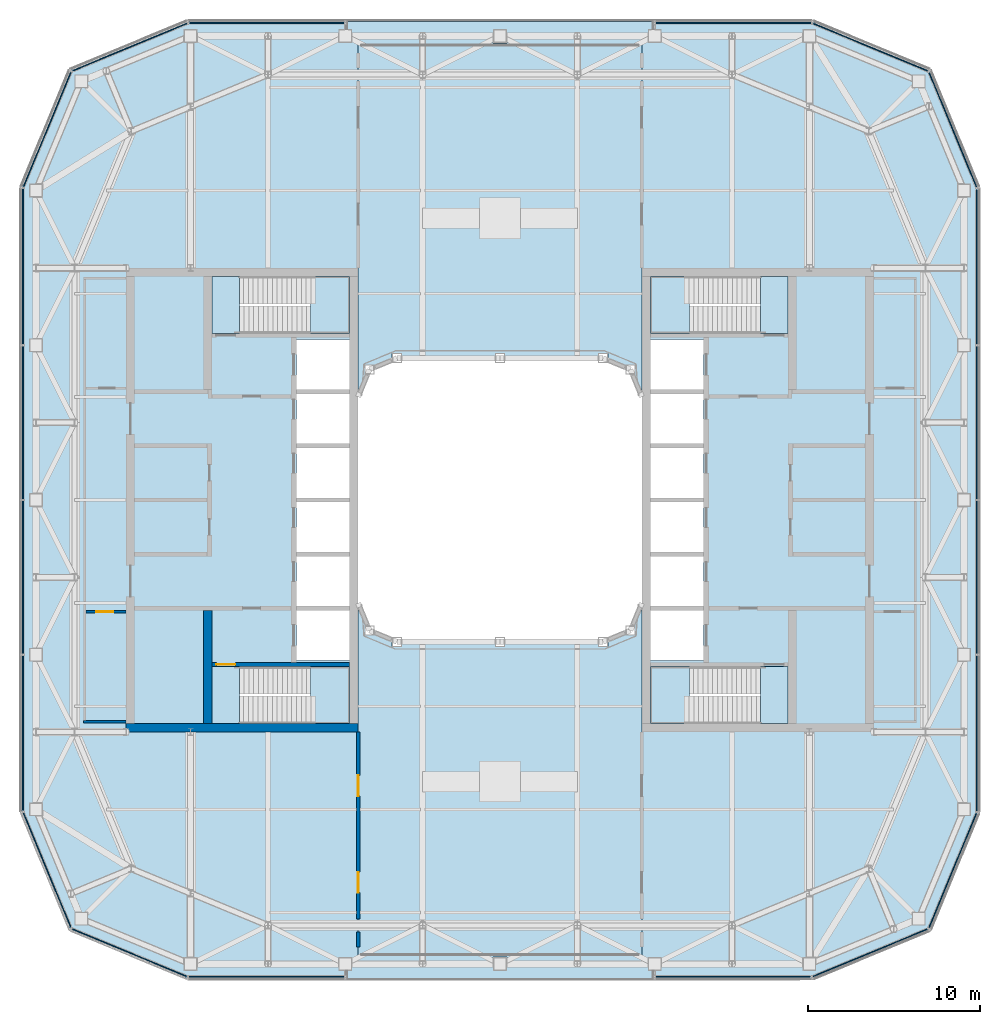
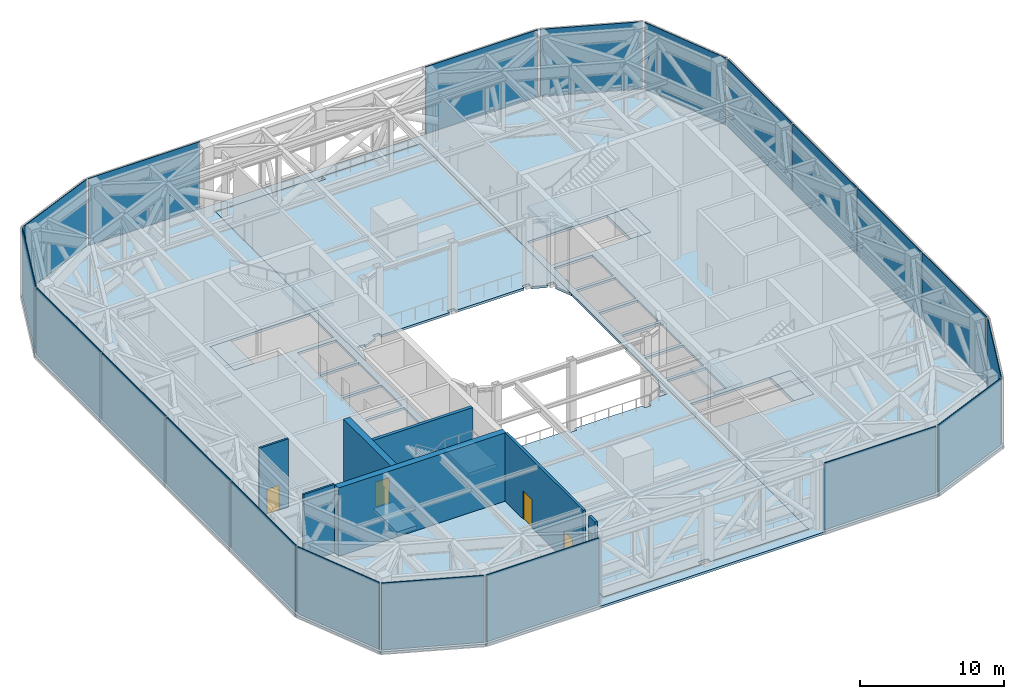
# One storey, part 10 of 21: 20 plates, 11 slabs, 7 walls, 4 doors, 4 openings, 18 elements without a shape of their own.
"""IFC4 building model written with IfcOpenShell, lengths in metres."""

from ifc_helpers import new_model, si_unit, direction, frame, frame_2d, origin, origin_2d, place, context, subcontext, project, spatial, polyline, rectangle, outline, extrude, material, layer, layer_set, type_object, element, fill, aggregate, save


model = new_model("IFC4")

# Units and contexts
model_context = context("Model", 3, precision=1e-05, world=origin(), true_north=direction((0.0, 1.0)))
body_context = subcontext(model_context, "Body", "Model", "MODEL_VIEW")
ifc_project = project(units=[si_unit("LENGTHUNIT", "METRE"), si_unit("AREAUNIT", "SQUARE_METRE"), si_unit("VOLUMEUNIT", "CUBIC_METRE"), si_unit("PLANEANGLEUNIT", "RADIAN"), si_unit("MASSUNIT", "GRAM", prefix="KILO")], contexts=[model_context])

# Site, building, storey
site_placement = place(None, origin())
site = spatial("IfcSite", under=ifc_project, at=site_placement, CompositionType="ELEMENT")
building_placement = place(site_placement, origin())
building = spatial("IfcBuilding", under=site, at=building_placement, Name="Siwar Civic Tower", CompositionType="ELEMENT")
storey_placement = place(building_placement, frame((0.0, 0.0, 278.199951171875)))
storey = spatial("IfcBuildingStorey", under=building, at=storey_placement, Name="L60", CompositionType="ELEMENT", Elevation=278.199951171875)

# Stair, slabs
ifc_material_1 = material(Name="Concrete C40/50", Category="concrete")
stair_type = type_object("IfcStairType", Name="CORE-STAIR", PredefinedType="TWO_STRAIGHT_RUN_STAIR", material=ifc_material_1)
stair_1_placement = place(storey_placement, origin())
stair_1 = element("IfcStair", 1, at=stair_1_placement, inside=storey, type_object=stair_type, Name="Exit stair ST1", PredefinedType="TWO_STRAIGHT_RUN_STAIR")
ifc_material_2 = material(Name="Concrete C40/50", Category="concrete")
ifc_layer_1 = layer(ifc_material_2, 0.300048828125)
ifc_layer_set_1 = layer_set([ifc_layer_1], Name="Concrete C40/50")
slab_type_1 = type_object("IfcSlabType", Name="CORE-STAIR-LANDING", PredefinedType="LANDING", material=ifc_layer_set_1)
slab_1_placement = place(storey_placement, frame((0.0, 0.0, -0.300048828125)))
slab_1 = element("IfcSlab", 2, at=slab_1_placement, type_object=slab_type_1, Name="ST1 landing 1", PredefinedType="LANDING", context=body_context, shape_type="SweptSolid", body=[
    extrude(outline(polyline([(-15.14990234375, 13.0), (-16.75, 13.0), (-16.75, 9.699951171875), (-15.14990234375, 9.699951171875), (-15.14990234375, 13.0)])), origin(), (0.0, 0.0, 1.0), 0.300048828125),
])
slab_2_placement = place(storey_placement, frame((0.0, 0.0, 2.699951171875)))
slab_2 = element("IfcSlab", 3, at=slab_2_placement, type_object=slab_type_1, Name="ST1 landing 2", PredefinedType="LANDING", context=body_context, shape_type="SweptSolid", body=[
    extrude(outline(polyline([(-8.75, 13.0), (-11.02001953125, 13.0), (-11.02001953125, 9.699951171875), (-8.75, 9.699951171875), (-8.75, 13.0)])), origin(), (0.0, 0.0, 1.0), 0.300048828125),
])
aggregate(stair_1, [slab_1, slab_2])

stair_2_placement = place(storey_placement, origin())
stair_2 = element("IfcStair", 4, at=stair_2_placement, inside=storey, type_object=stair_type, Name="Exit stair ST2", PredefinedType="TWO_STRAIGHT_RUN_STAIR")
slab_3_placement = place(storey_placement, frame((0.0, 0.0, -0.300048828125)))
slab_3 = element("IfcSlab", 5, at=slab_3_placement, type_object=slab_type_1, Name="ST2 landing 1", PredefinedType="LANDING", context=body_context, shape_type="SweptSolid", body=[
    extrude(outline(polyline([(-15.14990234375, -9.699951171875), (-16.75, -9.699951171875), (-16.75, -13.0), (-15.14990234375, -13.0), (-15.14990234375, -9.699951171875)])), origin(), (0.0, 0.0, 1.0), 0.300048828125),
])
slab_4_placement = place(storey_placement, frame((0.0, 0.0, 2.699951171875)))
slab_4 = element("IfcSlab", 6, at=slab_4_placement, type_object=slab_type_1, Name="ST2 landing 2", PredefinedType="LANDING", context=body_context, shape_type="SweptSolid", body=[
    extrude(outline(polyline([(-8.75, -9.699951171875), (-11.02001953125, -9.699951171875), (-11.02001953125, -13.0), (-8.75, -13.0), (-8.75, -9.699951171875)])), origin(), (0.0, 0.0, 1.0), 0.300048828125),
])
aggregate(stair_2, [slab_3, slab_4])

stair_3_placement = place(storey_placement, origin())
stair_3 = element("IfcStair", 7, at=stair_3_placement, inside=storey, type_object=stair_type, Name="Exit stair ST3", PredefinedType="TWO_STRAIGHT_RUN_STAIR")
slab_5_placement = place(storey_placement, frame((0.0, 0.0, -0.300048828125)))
slab_5 = element("IfcSlab", 8, at=slab_5_placement, type_object=slab_type_1, Name="ST3 landing 1", PredefinedType="LANDING", context=body_context, shape_type="SweptSolid", body=[
    extrude(outline(polyline([(15.14990234375, 9.699951171875), (16.75, 9.699951171875), (16.75, 13.0), (15.14990234375, 13.0), (15.14990234375, 9.699951171875)])), origin(), (0.0, 0.0, 1.0), 0.300048828125),
])
slab_6_placement = place(storey_placement, frame((0.0, 0.0, 2.699951171875)))
slab_6 = element("IfcSlab", 9, at=slab_6_placement, type_object=slab_type_1, Name="ST3 landing 2", PredefinedType="LANDING", context=body_context, shape_type="SweptSolid", body=[
    extrude(outline(polyline([(8.75, 9.699951171875), (11.02001953125, 9.699951171875), (11.02001953125, 13.0), (8.75, 13.0), (8.75, 9.699951171875)])), origin(), (0.0, 0.0, 1.0), 0.300048828125),
])
aggregate(stair_3, [slab_5, slab_6])

stair_4_placement = place(storey_placement, origin())
stair_4 = element("IfcStair", 10, at=stair_4_placement, inside=storey, type_object=stair_type, Name="Exit stair ST4", PredefinedType="TWO_STRAIGHT_RUN_STAIR")
slab_7_placement = place(storey_placement, frame((0.0, 0.0, -0.300048828125)))
slab_7 = element("IfcSlab", 11, at=slab_7_placement, type_object=slab_type_1, Name="ST4 landing 1", PredefinedType="LANDING", context=body_context, shape_type="SweptSolid", body=[
    extrude(outline(polyline([(15.14990234375, -13.0), (16.75, -13.0), (16.75, -9.699951171875), (15.14990234375, -9.699951171875), (15.14990234375, -13.0)])), origin(), (0.0, 0.0, 1.0), 0.300048828125),
])
slab_8_placement = place(storey_placement, frame((0.0, 0.0, 2.699951171875)))
slab_8 = element("IfcSlab", 12, at=slab_8_placement, type_object=slab_type_1, Name="ST4 landing 2", PredefinedType="LANDING", context=body_context, shape_type="SweptSolid", body=[
    extrude(outline(polyline([(8.75, -13.0), (11.02001953125, -13.0), (11.02001953125, -9.699951171875), (8.75, -9.699951171875), (8.75, -13.0)])), origin(), (0.0, 0.0, 1.0), 0.300048828125),
])
aggregate(stair_4, [slab_7, slab_8])

# Curtain wall, plate
ifc_material_3 = material(Name="Aluminium and glass", Category="aluminium")
ifc_layer_2 = layer(ifc_material_3, 0.199951171875)
ifc_layer_set_2 = layer_set([ifc_layer_2], Name="Aluminium and glass")
curtain_wall_type = type_object("IfcCurtainWallType", Name="ENV-CW-P", PredefinedType="NOTDEFINED", material=ifc_layer_set_2)
curtain_wall_1_placement = place(storey_placement, origin())
curtain_wall_1 = element("IfcCurtainWall", 13, at=curtain_wall_1_placement, inside=storey, type_object=curtain_wall_type, Name="Curtain wall P S-00", PredefinedType="NOTDEFINED")
ifc_material_4 = material(Name="Aluminium louvre blade", Category="aluminium")
ifc_layer_3 = layer(ifc_material_4, 0.06005859375)
ifc_layer_set_3 = layer_set([ifc_layer_3], Name="Aluminium louvre blade")
plate_type = type_object("IfcPlateType", Name="ENV-PANEL-P", PredefinedType="CURTAIN_PANEL", material=ifc_layer_set_3)
plate_1_placement = place(storey_placement, frame((-13.57470703125, -27.75, 0.1201171875), z_axis=(0.0, 0.0, 1.0), x_axis=(1.0, 0.0, 0.0)))
plate_1 = element("IfcPlate", 14, at=plate_1_placement, type_object=plate_type, Name="Curtain panel P S-00 1", PredefinedType="CURTAIN_PANEL", context=body_context, shape_type="SweptSolid", body=[
    extrude(rectangle(XDim=9.049072265625, YDim=0.06005859375, at=origin_2d()), origin(), (0.0, 0.0, 1.0), 5.679931640625),
])
aggregate(curtain_wall_1, [plate_1])

curtain_wall_2_placement = place(storey_placement, origin())
curtain_wall_2 = element("IfcCurtainWall", 15, at=curtain_wall_2_placement, inside=storey, type_object=curtain_wall_type, Name="Curtain wall P S-03", PredefinedType="NOTDEFINED")
plate_2_placement = place(storey_placement, frame((13.53662109375, -27.75, 0.1201171875), z_axis=(0.0, 0.0, 1.0), x_axis=(1.0, 0.0, 0.0)))
plate_2 = element("IfcPlate", 16, at=plate_2_placement, type_object=plate_type, Name="Curtain panel P S-03 1", PredefinedType="CURTAIN_PANEL", context=body_context, shape_type="SweptSolid", body=[
    extrude(rectangle(XDim=8.97314453125, YDim=0.06005859375, at=origin_2d()), origin(), (0.0, 0.0, 1.0), 5.679931640625),
])
aggregate(curtain_wall_2, [plate_2])

curtain_wall_3_placement = place(storey_placement, origin())
curtain_wall_3 = element("IfcCurtainWall", 17, at=curtain_wall_3_placement, inside=storey, type_object=curtain_wall_type, Name="Curtain wall P SE1", PredefinedType="NOTDEFINED")
plate_3_placement = place(storey_placement, frame((21.508544921875, -26.358642578125, 0.1201171875), z_axis=(0.0, 0.0, 1.0), x_axis=(0.923879532511, 0.382683432365, 0.0)))
plate_3 = element("IfcPlate", 18, at=plate_3_placement, type_object=plate_type, Name="Curtain panel P SE1 1", PredefinedType="CURTAIN_PANEL", context=body_context, shape_type="SweptSolid", body=[
    extrude(rectangle(XDim=7.172119140625, YDim=0.06005859375, at=origin_2d()), origin(), (0.0, 0.0, 1.0), 5.679931640625),
])
aggregate(curtain_wall_3, [plate_3])

curtain_wall_4_placement = place(storey_placement, origin())
curtain_wall_4 = element("IfcCurtainWall", 19, at=curtain_wall_4_placement, inside=storey, type_object=curtain_wall_type, Name="Curtain wall P SE2", PredefinedType="NOTDEFINED")
plate_4_placement = place(storey_placement, frame((26.329345703125, -21.57861328125, 0.1201171875), z_axis=(0.0, 0.0, 1.0), x_axis=(0.382683432365, 0.923879532511, 0.0)))
plate_4 = element("IfcPlate", 20, at=plate_4_placement, type_object=plate_type, Name="Curtain panel P SE2 1", PredefinedType="CURTAIN_PANEL", context=body_context, shape_type="SweptSolid", body=[
    extrude(rectangle(XDim=7.172119140625, YDim=0.06005859375, at=origin_2d()), origin(), (0.0, 0.0, 1.0), 5.679931640625),
])
aggregate(curtain_wall_4, [plate_4])

# Curtain wall, plates
curtain_wall_5_placement = place(storey_placement, origin())
curtain_wall_5 = element("IfcCurtainWall", 21, at=curtain_wall_5_placement, inside=storey, type_object=curtain_wall_type, Name="Curtain wall P E", PredefinedType="NOTDEFINED")
plate_5_placement = place(storey_placement, frame((27.75, -13.57470703125, 0.1201171875), z_axis=(0.0, 0.0, 1.0), x_axis=(0.0, 1.0, 0.0)))
plate_5 = element("IfcPlate", 22, at=plate_5_placement, type_object=plate_type, Name="Curtain panel P E 1", PredefinedType="CURTAIN_PANEL", context=body_context, shape_type="SweptSolid", body=[
    extrude(rectangle(XDim=9.049072265625, YDim=0.06005859375, at=origin_2d()), origin(), (0.0, 0.0, 1.0), 5.679931640625),
])
plate_6_placement = place(storey_placement, frame((27.75, -4.5, 0.1201171875), z_axis=(0.0, 0.0, 1.0), x_axis=(0.0, 1.0, 0.0)))
plate_6 = element("IfcPlate", 23, at=plate_6_placement, type_object=plate_type, Name="Curtain panel P E 2", PredefinedType="CURTAIN_PANEL", context=body_context, shape_type="SweptSolid", body=[
    extrude(rectangle(XDim=8.89990234375, YDim=0.06005859375, at=origin_2d()), origin(), (0.0, 0.0, 1.0), 5.679931640625),
])
plate_7_placement = place(storey_placement, frame((27.75, 4.5, 0.1201171875), z_axis=(0.0, 0.0, 1.0), x_axis=(0.0, 1.0, 0.0)))
plate_7 = element("IfcPlate", 24, at=plate_7_placement, type_object=plate_type, Name="Curtain panel P E 3", PredefinedType="CURTAIN_PANEL", context=body_context, shape_type="SweptSolid", body=[
    extrude(rectangle(XDim=8.89990234375, YDim=0.06005859375, at=origin_2d()), origin(), (0.0, 0.0, 1.0), 5.679931640625),
])
plate_8_placement = place(storey_placement, frame((27.75, 13.53662109375, 0.1201171875), z_axis=(0.0, 0.0, 1.0), x_axis=(0.0, 1.0, 0.0)))
plate_8 = element("IfcPlate", 25, at=plate_8_placement, type_object=plate_type, Name="Curtain panel P E 4", PredefinedType="CURTAIN_PANEL", context=body_context, shape_type="SweptSolid", body=[
    extrude(rectangle(XDim=8.97314453125, YDim=0.06005859375, at=origin_2d()), origin(), (0.0, 0.0, 1.0), 5.679931640625),
])
aggregate(curtain_wall_5, [plate_5, plate_6, plate_7, plate_8])

# Curtain wall, plate
curtain_wall_6_placement = place(storey_placement, origin())
curtain_wall_6 = element("IfcCurtainWall", 26, at=curtain_wall_6_placement, inside=storey, type_object=curtain_wall_type, Name="Curtain wall P NE1", PredefinedType="NOTDEFINED")
plate_9_placement = place(storey_placement, frame((26.358642578125, 21.508544921875, 0.1201171875), z_axis=(0.0, 0.0, 1.0), x_axis=(-0.382683432365, 0.923879532511, 0.0)))
plate_9 = element("IfcPlate", 27, at=plate_9_placement, type_object=plate_type, Name="Curtain panel P NE1 1", PredefinedType="CURTAIN_PANEL", context=body_context, shape_type="SweptSolid", body=[
    extrude(rectangle(XDim=7.172119140625, YDim=0.06005859375, at=origin_2d()), origin(), (0.0, 0.0, 1.0), 5.679931640625),
])
aggregate(curtain_wall_6, [plate_9])

curtain_wall_7_placement = place(storey_placement, origin())
curtain_wall_7 = element("IfcCurtainWall", 28, at=curtain_wall_7_placement, inside=storey, type_object=curtain_wall_type, Name="Curtain wall P NE2", PredefinedType="NOTDEFINED")
plate_10_placement = place(storey_placement, frame((21.57861328125, 26.329345703125, 0.1201171875), z_axis=(0.0, 0.0, 1.0), x_axis=(-0.923879532511, 0.382683432365, 0.0)))
plate_10 = element("IfcPlate", 29, at=plate_10_placement, type_object=plate_type, Name="Curtain panel P NE2 1", PredefinedType="CURTAIN_PANEL", context=body_context, shape_type="SweptSolid", body=[
    extrude(rectangle(XDim=7.172119140625, YDim=0.06005859375, at=origin_2d()), origin(), (0.0, 0.0, 1.0), 5.679931640625),
])
aggregate(curtain_wall_7, [plate_10])

curtain_wall_8_placement = place(storey_placement, origin())
curtain_wall_8 = element("IfcCurtainWall", 30, at=curtain_wall_8_placement, inside=storey, type_object=curtain_wall_type, Name="Curtain wall P N-00", PredefinedType="NOTDEFINED")
plate_11_placement = place(storey_placement, frame((13.57470703125, 27.75, 0.1201171875), z_axis=(0.0, 0.0, 1.0), x_axis=(-1.0, 0.0, 0.0)))
plate_11 = element("IfcPlate", 31, at=plate_11_placement, type_object=plate_type, Name="Curtain panel P N-00 1", PredefinedType="CURTAIN_PANEL", context=body_context, shape_type="SweptSolid", body=[
    extrude(rectangle(XDim=9.049072265625, YDim=0.06005859375, at=origin_2d()), origin(), (0.0, 0.0, 1.0), 5.679931640625),
])
aggregate(curtain_wall_8, [plate_11])

curtain_wall_9_placement = place(storey_placement, origin())
curtain_wall_9 = element("IfcCurtainWall", 32, at=curtain_wall_9_placement, inside=storey, type_object=curtain_wall_type, Name="Curtain wall P N-03", PredefinedType="NOTDEFINED")
plate_12_placement = place(storey_placement, frame((-13.53662109375, 27.75, 0.1201171875), z_axis=(0.0, 0.0, 1.0), x_axis=(-1.0, 0.0, 0.0)))
plate_12 = element("IfcPlate", 33, at=plate_12_placement, type_object=plate_type, Name="Curtain panel P N-03 1", PredefinedType="CURTAIN_PANEL", context=body_context, shape_type="SweptSolid", body=[
    extrude(rectangle(XDim=8.97314453125, YDim=0.06005859375, at=origin_2d()), origin(), (0.0, 0.0, 1.0), 5.679931640625),
])
aggregate(curtain_wall_9, [plate_12])

curtain_wall_10_placement = place(storey_placement, origin())
curtain_wall_10 = element("IfcCurtainWall", 34, at=curtain_wall_10_placement, inside=storey, type_object=curtain_wall_type, Name="Curtain wall P NW1", PredefinedType="NOTDEFINED")
plate_13_placement = place(storey_placement, frame((-21.508544921875, 26.358642578125, 0.1201171875), z_axis=(0.0, 0.0, 1.0), x_axis=(-0.923879532511, -0.382683432365, 0.0)))
plate_13 = element("IfcPlate", 35, at=plate_13_placement, type_object=plate_type, Name="Curtain panel P NW1 1", PredefinedType="CURTAIN_PANEL", context=body_context, shape_type="SweptSolid", body=[
    extrude(rectangle(XDim=7.172119140625, YDim=0.06005859375, at=origin_2d()), origin(), (0.0, 0.0, 1.0), 5.679931640625),
])
aggregate(curtain_wall_10, [plate_13])

curtain_wall_11_placement = place(storey_placement, origin())
curtain_wall_11 = element("IfcCurtainWall", 36, at=curtain_wall_11_placement, inside=storey, type_object=curtain_wall_type, Name="Curtain wall P NW2", PredefinedType="NOTDEFINED")
plate_14_placement = place(storey_placement, frame((-26.329345703125, 21.57861328125, 0.1201171875), z_axis=(0.0, 0.0, 1.0), x_axis=(-0.382683432365, -0.923879532511, 0.0)))
plate_14 = element("IfcPlate", 37, at=plate_14_placement, type_object=plate_type, Name="Curtain panel P NW2 1", PredefinedType="CURTAIN_PANEL", context=body_context, shape_type="SweptSolid", body=[
    extrude(rectangle(XDim=7.172119140625, YDim=0.06005859375, at=origin_2d()), origin(), (0.0, 0.0, 1.0), 5.679931640625),
])
aggregate(curtain_wall_11, [plate_14])

# Curtain wall, plates
curtain_wall_12_placement = place(storey_placement, origin())
curtain_wall_12 = element("IfcCurtainWall", 38, at=curtain_wall_12_placement, inside=storey, type_object=curtain_wall_type, Name="Curtain wall P W", PredefinedType="NOTDEFINED")
plate_15_placement = place(storey_placement, frame((-27.75, 13.57470703125, 0.1201171875), z_axis=(0.0, 0.0, 1.0), x_axis=(0.0, -1.0, 0.0)))
plate_15 = element("IfcPlate", 39, at=plate_15_placement, type_object=plate_type, Name="Curtain panel P W 1", PredefinedType="CURTAIN_PANEL", context=body_context, shape_type="SweptSolid", body=[
    extrude(rectangle(XDim=9.049072265625, YDim=0.06005859375, at=origin_2d()), origin(), (0.0, 0.0, 1.0), 5.679931640625),
])
plate_16_placement = place(storey_placement, frame((-27.75, 4.5, 0.1201171875), z_axis=(0.0, 0.0, 1.0), x_axis=(0.0, -1.0, 0.0)))
plate_16 = element("IfcPlate", 40, at=plate_16_placement, type_object=plate_type, Name="Curtain panel P W 2", PredefinedType="CURTAIN_PANEL", context=body_context, shape_type="SweptSolid", body=[
    extrude(rectangle(XDim=8.89990234375, YDim=0.06005859375, at=origin_2d()), origin(), (0.0, 0.0, 1.0), 5.679931640625),
])
plate_17_placement = place(storey_placement, frame((-27.75, -4.5, 0.1201171875), z_axis=(0.0, 0.0, 1.0), x_axis=(0.0, -1.0, 0.0)))
plate_17 = element("IfcPlate", 41, at=plate_17_placement, type_object=plate_type, Name="Curtain panel P W 3", PredefinedType="CURTAIN_PANEL", context=body_context, shape_type="SweptSolid", body=[
    extrude(rectangle(XDim=8.89990234375, YDim=0.06005859375, at=origin_2d()), origin(), (0.0, 0.0, 1.0), 5.679931640625),
])
plate_18_placement = place(storey_placement, frame((-27.75, -13.53662109375, 0.1201171875), z_axis=(0.0, 0.0, 1.0), x_axis=(0.0, -1.0, 0.0)))
plate_18 = element("IfcPlate", 42, at=plate_18_placement, type_object=plate_type, Name="Curtain panel P W 4", PredefinedType="CURTAIN_PANEL", context=body_context, shape_type="SweptSolid", body=[
    extrude(rectangle(XDim=8.97314453125, YDim=0.06005859375, at=origin_2d()), origin(), (0.0, 0.0, 1.0), 5.679931640625),
])
aggregate(curtain_wall_12, [plate_15, plate_16, plate_17, plate_18])

# Curtain wall, plate
curtain_wall_13_placement = place(storey_placement, origin())
curtain_wall_13 = element("IfcCurtainWall", 43, at=curtain_wall_13_placement, inside=storey, type_object=curtain_wall_type, Name="Curtain wall P SW1", PredefinedType="NOTDEFINED")
plate_19_placement = place(storey_placement, frame((-26.358642578125, -21.508544921875, 0.1201171875), z_axis=(0.0, 0.0, 1.0), x_axis=(0.382683432365, -0.923879532511, 0.0)))
plate_19 = element("IfcPlate", 44, at=plate_19_placement, type_object=plate_type, Name="Curtain panel P SW1 1", PredefinedType="CURTAIN_PANEL", context=body_context, shape_type="SweptSolid", body=[
    extrude(rectangle(XDim=7.172119140625, YDim=0.06005859375, at=origin_2d()), origin(), (0.0, 0.0, 1.0), 5.679931640625),
])
aggregate(curtain_wall_13, [plate_19])

curtain_wall_14_placement = place(storey_placement, origin())
curtain_wall_14 = element("IfcCurtainWall", 45, at=curtain_wall_14_placement, inside=storey, type_object=curtain_wall_type, Name="Curtain wall P SW2", PredefinedType="NOTDEFINED")
plate_20_placement = place(storey_placement, frame((-21.57861328125, -26.329345703125, 0.1201171875), z_axis=(0.0, 0.0, 1.0), x_axis=(0.923879532511, -0.382683432365, 0.0)))
plate_20 = element("IfcPlate", 46, at=plate_20_placement, type_object=plate_type, Name="Curtain panel P SW2 1", PredefinedType="CURTAIN_PANEL", context=body_context, shape_type="SweptSolid", body=[
    extrude(rectangle(XDim=7.172119140625, YDim=0.06005859375, at=origin_2d()), origin(), (0.0, 0.0, 1.0), 5.679931640625),
])
aggregate(curtain_wall_14, [plate_20])

# Slabs
ifc_material_5 = material(Name="Concrete C40/50", Category="concrete")
ifc_layer_4 = layer(ifc_material_5, 0.199951171875)
ifc_layer_set_4 = layer_set([ifc_layer_4], Name="Concrete C40/50")
slab_type_2 = type_object("IfcSlabType", Name="ENV-TERRACE SLAB 200", PredefinedType="FLOOR", material=ifc_layer_set_4)
slab_9_placement = place(storey_placement, frame((0.0, 0.0, -0.199951171875)))
element("IfcSlab", 47, at=slab_9_placement, inside=storey, type_object=slab_type_2, Name="Sky portal terrace N", PredefinedType="FLOOR", context=body_context, shape_type="SweptSolid", body=[
    extrude(outline(polyline([(-0.39990234375, 27.0), (-8.25, 27.0), (-8.25, 6.0), (-7.704833984375, 7.31591796875), (-7.865966796875, 7.31591796875), (-7.865966796875, 7.865966796875), (-7.31591796875, 7.865966796875), (-7.31591796875, 7.704833984375), (-6.27490234375, 8.135986328125), (-6.27490234375, 8.52490234375), (-5.72509765625, 8.52490234375), (-5.72509765625, 8.25), (-0.27490234375, 8.25), (-0.27490234375, 8.52490234375), (0.27490234375, 8.52490234375), (0.27490234375, 8.25), (5.72509765625, 8.25), (5.72509765625, 8.52490234375), (6.27490234375, 8.52490234375), (6.27490234375, 8.135986328125), (7.31591796875, 7.704833984375), (7.31591796875, 7.865966796875), (7.865966796875, 7.865966796875), (7.865966796875, 7.31591796875), (7.704833984375, 7.31591796875), (8.25, 6.0), (8.25, 27.0), (0.39990234375, 27.0), (0.39990234375, 26.60009765625), (-0.39990234375, 26.60009765625), (-0.39990234375, 27.0)])), origin(), (0.0, 0.0, 1.0), 0.199951171875),
])
slab_10_placement = place(storey_placement, frame((0.0, 0.0, -0.199951171875)))
element("IfcSlab", 48, at=slab_10_placement, inside=storey, type_object=slab_type_2, Name="Sky portal terrace S", PredefinedType="FLOOR", context=body_context, shape_type="SweptSolid", body=[
    extrude(outline(polyline([(-7.865966796875, -7.31591796875), (-7.704833984375, -7.31591796875), (-8.25, -6.0), (-8.25, -27.0), (-0.39990234375, -27.0), (-0.39990234375, -26.60009765625), (0.39990234375, -26.60009765625), (0.39990234375, -27.0), (8.25, -27.0), (8.25, -6.0), (7.704833984375, -7.31591796875), (7.865966796875, -7.31591796875), (7.865966796875, -7.865966796875), (7.31591796875, -7.865966796875), (7.31591796875, -7.704833984375), (6.27490234375, -8.135986328125), (6.27490234375, -8.52490234375), (5.72509765625, -8.52490234375), (5.72509765625, -8.25), (0.27490234375, -8.25), (0.27490234375, -8.52490234375), (-0.27490234375, -8.52490234375), (-0.27490234375, -8.25), (-5.72509765625, -8.25), (-5.72509765625, -8.52490234375), (-6.27490234375, -8.52490234375), (-6.27490234375, -8.135986328125), (-7.31591796875, -7.704833984375), (-7.31591796875, -7.865966796875), (-7.865966796875, -7.865966796875), (-7.865966796875, -7.31591796875)])), origin(), (0.0, 0.0, 1.0), 0.199951171875),
])
ifc_material_6 = material(Name="Concrete C40/50", Category="concrete")
ifc_layer_5 = layer(ifc_material_6, 0.199951171875)
ifc_layer_set_5 = layer_set([ifc_layer_5], Name="Concrete C40/50")
slab_type_3 = type_object("IfcSlabType", Name="STR-FLOOR-DECK-200", PredefinedType="FLOOR", material=ifc_layer_set_5)
slab_11_placement = place(storey_placement, frame((0.0, 0.0, -0.199951171875)))
element("IfcSlab", 49, at=slab_11_placement, inside=storey, type_object=slab_type_3, Name="L60/slab/1", PredefinedType="FLOOR", context=body_context, shape_type="SweptSolid", body=[
    extrude(outline(polyline([(-18.169189453125, -27.85009765625), (18.169189453125, -27.85009765625), (25.014404296875, -25.014404296875), (27.85009765625, -18.169189453125), (27.85009765625, 18.169189453125), (25.014404296875, 25.014404296875), (18.169189453125, 27.85009765625), (-18.169189453125, 27.85009765625), (-25.014404296875, 25.014404296875), (-27.85009765625, 18.169189453125), (-27.85009765625, -18.169189453125), (-25.014404296875, -25.014404296875), (-18.169189453125, -27.85009765625)]), holes=[polyline([(16.75, 13.0), (16.75, 9.699951171875), (8.75, 9.699951171875), (8.75, 13.0), (16.75, 13.0)]), polyline([(8.75, -9.699951171875), (16.75, -9.699951171875), (16.75, -13.0), (8.75, -13.0), (8.75, -9.699951171875)]), polyline([(11.85009765625, 9.324951171875), (11.85009765625, 6.425048828125), (8.75, 6.425048828125), (8.75, 9.324951171875), (11.85009765625, 9.324951171875)]), polyline([(8.75, 6.175048828125), (11.85009765625, 6.175048828125), (11.85009765625, 3.27490234375), (8.75, 3.27490234375), (8.75, 6.175048828125)]), polyline([(8.75, 3.02490234375), (11.85009765625, 3.02490234375), (11.85009765625, 0.125), (8.75, 0.125), (8.75, 3.02490234375)]), polyline([(8.75, -0.125), (11.85009765625, -0.125), (11.85009765625, -3.02490234375), (8.75, -3.02490234375), (8.75, -0.125)]), polyline([(8.75, -3.27490234375), (11.85009765625, -3.27490234375), (11.85009765625, -6.175048828125), (8.75, -6.175048828125), (8.75, -3.27490234375)]), polyline([(8.75, -6.425048828125), (11.85009765625, -6.425048828125), (11.85009765625, -9.324951171875), (8.75, -9.324951171875), (8.75, -6.425048828125)]), polyline([(8.25, -27.0), (-8.25, -27.0), (-8.25, 27.0), (8.25, 27.0), (8.25, -27.0)]), polyline([(-8.75, -13.0), (-16.75, -13.0), (-16.75, -9.699951171875), (-8.75, -9.699951171875), (-8.75, -13.0)]), polyline([(-8.75, 9.699951171875), (-16.75, 9.699951171875), (-16.75, 13.0), (-8.75, 13.0), (-8.75, 9.699951171875)]), polyline([(-8.75, 6.425048828125), (-11.85009765625, 6.425048828125), (-11.85009765625, 9.324951171875), (-8.75, 9.324951171875), (-8.75, 6.425048828125)]), polyline([(-8.75, 3.27490234375), (-11.85009765625, 3.27490234375), (-11.85009765625, 6.175048828125), (-8.75, 6.175048828125), (-8.75, 3.27490234375)]), polyline([(-8.75, 0.125), (-11.85009765625, 0.125), (-11.85009765625, 3.02490234375), (-8.75, 3.02490234375), (-8.75, 0.125)]), polyline([(-8.75, -3.02490234375), (-11.85009765625, -3.02490234375), (-11.85009765625, -0.125), (-8.75, -0.125), (-8.75, -3.02490234375)]), polyline([(-8.75, -6.175048828125), (-11.85009765625, -6.175048828125), (-11.85009765625, -3.27490234375), (-8.75, -3.27490234375), (-8.75, -6.175048828125)]), polyline([(-8.75, -9.324951171875), (-11.85009765625, -9.324951171875), (-11.85009765625, -6.425048828125), (-8.75, -6.425048828125), (-8.75, -9.324951171875)])]), origin(), (0.0, 0.0, 1.0), 0.199951171875),
])

# Wall
ifc_material_7 = material(Name="Gypsum board on steel studs", Category="steel")
ifc_layer_6 = layer(ifc_material_7, 0.14990234375)
ifc_layer_set_6 = layer_set([ifc_layer_6], Name="Gypsum board on steel studs")
wall_type_1 = type_object("IfcWallType", Name="COMPARTMENT PARTITION 150 EI 60", PredefinedType="PARTITIONING", material=ifc_layer_set_6)
wall_1_placement = place(storey_placement, frame((-24.22509765625, -12.89990234375, 0.0), z_axis=(0.0, 0.0, 1.0), x_axis=(1.0, 0.0, 0.0)))
element("IfcWall", 50, at=wall_1_placement, inside=storey, type_object=wall_type_1, Name="L60/wall/P01", PredefinedType="PARTITIONING", context=body_context, shape_type="SweptSolid", body=[
    extrude(rectangle(XDim=2.47509765625, YDim=0.14990234375, at=frame_2d((1.237548828125, 0.0))), origin(), (0.0, 0.0, 1.0), 5.800048828125),
])

# Wall, opening, door
wall_2_placement = place(storey_placement, frame((-24.074951171875, -6.5, 0.0), z_axis=(0.0, 0.0, 1.0), x_axis=(1.0, 0.0, 0.0)))
wall_2 = element("IfcWall", 51, at=wall_2_placement, inside=storey, type_object=wall_type_1, Name="L60/wall/P03", PredefinedType="PARTITIONING", context=body_context, shape_type="SweptSolid", body=[
    extrude(rectangle(XDim=2.324951171875, YDim=0.14990234375, at=frame_2d((1.16259765625, 0.0))), origin(), (0.0, 0.0, 1.0), 5.800048828125),
])
opening_1_placement = place(wall_2_placement, frame((0.574951171875, 0.0, 0.0)))
opening_1 = element("IfcOpeningElement", 52, at=opening_1_placement, cuts=wall_2, Name="Opening D1", PredefinedType="OPENING", context=body_context, shape_type="SweptSolid", body=[
    extrude(rectangle(XDim=1.0, YDim=2.10009765625, at=frame_2d((0.5, 1.050048828125))), frame((0.0, 0.0849609375, 0.0), z_axis=(0.0, -1.0, 0.0), x_axis=(1.0, 0.0, 0.0)), (0.0, 0.0, 1.0), 0.169921875),
])
ifc_material_8 = material(Name="Timber, painted", Category="wood")
door_type_1 = type_object("IfcDoorType", Name="DOOR 1000 X 2100 FD30", OperationType="SINGLE_SWING_LEFT", PredefinedType="DOOR", material=ifc_material_8)
door_1_placement = place(opening_1_placement, origin())
door_1 = element("IfcDoor", 53, at=door_1_placement, inside=storey, type_object=door_type_1, Name="L60-D04", OperationType="SINGLE_SWING_RIGHT", OverallHeight=2.10009765625, OverallWidth=1.0, PredefinedType="DOOR", context=body_context, shape_type="SweptSolid", body=[
    extrude(rectangle(XDim=1.0, YDim=2.10009765625, at=frame_2d((0.5, 1.050048828125))), frame((0.0, 0.02490234375, 0.0), z_axis=(0.0, -1.0, 0.0), x_axis=(1.0, 0.0, 0.0)), (0.0, 0.0, 1.0), 0.050048828125),
])
fill(opening_1, door_1)

ifc_material_9 = material(Name="Concrete C60/75", Category="concrete")
ifc_layer_7 = layer(ifc_material_9, 0.25)
ifc_layer_set_7 = layer_set([ifc_layer_7], Name="Concrete C60/75")
wall_type_2 = type_object("IfcWallType", Name="CORE-WALL-RC250", PredefinedType="SHEAR", material=ifc_layer_set_7)
wall_3_placement = place(storey_placement, frame((-8.75, -9.574951171875, 0.0), z_axis=(0.0, 0.0, 1.0), x_axis=(-1.0, 0.0, 0.0)))
wall_3 = element("IfcWall", 54, at=wall_3_placement, inside=storey, type_object=wall_type_2, Name="Core wall W", PredefinedType="SHEAR", context=body_context, shape_type="SweptSolid", body=[
    extrude(rectangle(XDim=8.0, YDim=0.25, at=frame_2d((4.0, 0.0))), origin(), (0.0, 0.0, 1.0), 5.800048828125),
])
opening_2_placement = place(wall_3_placement, frame((6.64990234375, 0.0, 0.0)))
opening_2 = element("IfcOpeningElement", 55, at=opening_2_placement, cuts=wall_3, Name="Opening L60-CW04", PredefinedType="OPENING", context=body_context, shape_type="SweptSolid", body=[
    extrude(rectangle(XDim=1.10009765625, YDim=2.10009765625, at=frame_2d((0.550048828125, 1.050048828125))), frame((0.0, 0.135009765625, 0.0), z_axis=(0.0, -1.0, 0.0), x_axis=(1.0, 0.0, 0.0)), (0.0, 0.0, 1.0), 0.27001953125),
])
ifc_material_10 = material(Name="Steel door leaf", Category="steel")
door_type_2 = type_object("IfcDoorType", Name="CORE-DOOR-FD60S", OperationType="SINGLE_SWING_LEFT", PredefinedType="DOOR", material=ifc_material_10)
door_2_placement = place(opening_2_placement, origin())
door_2 = element("IfcDoor", 56, at=door_2_placement, inside=storey, type_object=door_type_2, Name="Stair door L60-CW04", OperationType="SINGLE_SWING_LEFT", OverallHeight=2.10009765625, OverallWidth=1.10009765625, PredefinedType="DOOR", context=body_context, shape_type="SweptSolid", body=[
    extrude(rectangle(XDim=1.10009765625, YDim=2.10009765625, at=frame_2d((0.550048828125, 1.050048828125))), frame((0.0, 0.02490234375, 0.0), z_axis=(0.0, -1.0, 0.0), x_axis=(1.0, 0.0, 0.0)), (0.0, 0.0, 1.0), 0.050048828125),
])
fill(opening_2, door_2)

# Walls
ifc_material_11 = material(Name="Concrete C60/75", Category="concrete")
ifc_layer_8 = layer(ifc_material_11, 0.5)
ifc_layer_set_8 = layer_set([ifc_layer_8], Name="Concrete C60/75")
wall_type_3 = type_object("IfcWallType", Name="CORE-WALL-RC500", PredefinedType="SHEAR", material=ifc_layer_set_8)
wall_4_placement = place(storey_placement, frame((-17.0, -13.0, 0.0), z_axis=(0.0, 0.0, 1.0), x_axis=(0.0, 1.0, 0.0)))
element("IfcWall", 57, at=wall_4_placement, inside=storey, type_object=wall_type_3, Name="Core wall W", PredefinedType="SHEAR", context=body_context, shape_type="SweptSolid", body=[
    extrude(rectangle(XDim=6.574951171875, YDim=0.5, at=frame_2d((3.28759765625, 0.0))), origin(), (0.0, 0.0, 1.0), 5.800048828125),
])
wall_5_placement = place(storey_placement, frame((-8.25, -13.25, 0.0), z_axis=(0.0, 0.0, 1.0), x_axis=(-1.0, 0.0, 0.0)))
element("IfcWall", 58, at=wall_5_placement, inside=storey, type_object=wall_type_3, Name="Core wall W", PredefinedType="SHEAR", context=body_context, shape_type="SweptSolid", body=[
    extrude(rectangle(XDim=13.5, YDim=0.5, at=frame_2d((6.75, 0.0))), origin(), (0.0, 0.0, 1.0), 5.800048828125),
])

# Wall, openings, doors
ifc_material_12 = material(Name="Aluminium clad insulated panel", Category="aluminium")
ifc_layer_9 = layer(ifc_material_12, 0.199951171875)
ifc_layer_set_9 = layer_set([ifc_layer_9], Name="Aluminium clad insulated panel")
wall_type_4 = type_object("IfcWallType", Name="ENV-PORTAL WALL", PredefinedType="STANDARD", material=ifc_layer_set_9)
wall_6_placement = place(storey_placement, frame((-8.25, -13.5, 0.0), z_axis=(0.0, 0.0, 1.0), x_axis=(0.0, -1.0, 0.0)))
wall_6 = element("IfcWall", 59, at=wall_6_placement, inside=storey, type_object=wall_type_4, Name="Sky portal closing wall SW", PredefinedType="STANDARD", context=body_context, shape_type="SweptSolid", body=[
    extrude(rectangle(XDim=10.864990234375, YDim=0.199951171875, at=frame_2d((5.4326171875, 0.0))), origin(), (0.0, 0.0, 1.0), 5.800048828125),
])
opening_3_placement = place(wall_6_placement, frame((2.52490234375, 0.0, 0.0)))
opening_3 = element("IfcOpeningElement", 60, at=opening_3_placement, cuts=wall_6, Name="Opening D-PT", PredefinedType="OPENING", context=body_context, shape_type="SweptSolid", body=[
    extrude(rectangle(XDim=1.199951171875, YDim=2.39990234375, at=frame_2d((0.60009765625, 1.199951171875))), frame((0.0, 0.10986328125, 0.0), z_axis=(0.0, -1.0, 0.0), x_axis=(1.0, 0.0, 0.0)), (0.0, 0.0, 1.0), 0.219970703125),
])
opening_4_placement = place(wall_6_placement, frame((8.14990234375, 0.0, 0.0)))
opening_4 = element("IfcOpeningElement", 61, at=opening_4_placement, cuts=wall_6, Name="Opening D-PT", PredefinedType="OPENING", context=body_context, shape_type="SweptSolid", body=[
    extrude(rectangle(XDim=1.199951171875, YDim=2.39990234375, at=frame_2d((0.60009765625, 1.199951171875))), frame((0.0, 0.10986328125, 0.0), z_axis=(0.0, -1.0, 0.0), x_axis=(1.0, 0.0, 0.0)), (0.0, 0.0, 1.0), 0.219970703125),
])
ifc_material_13 = material(Name="Aluminium and glass", Category="aluminium")
door_type_3 = type_object("IfcDoorType", Name="ENV-DOOR-PORTAL", OperationType="DOUBLE_DOOR_SINGLE_SWING", PredefinedType="DOOR", material=ifc_material_13)
door_3_placement = place(opening_3_placement, origin())
door_3 = element("IfcDoor", 62, at=door_3_placement, inside=storey, type_object=door_type_3, Name="Sky portal door SW 1", OperationType="DOUBLE_DOOR_SINGLE_SWING", OverallHeight=2.39990234375, OverallWidth=1.199951171875, PredefinedType="DOOR", context=body_context, shape_type="SweptSolid", body=[
    extrude(rectangle(XDim=1.199951171875, YDim=2.39990234375, at=frame_2d((0.60009765625, 1.199951171875))), frame((0.0, 0.02490234375, 0.0), z_axis=(0.0, -1.0, 0.0), x_axis=(1.0, 0.0, 0.0)), (0.0, 0.0, 1.0), 0.050048828125),
])
fill(opening_3, door_3)
door_4_placement = place(opening_4_placement, origin())
door_4 = element("IfcDoor", 63, at=door_4_placement, inside=storey, type_object=door_type_3, Name="Sky portal door SW 2", OperationType="DOUBLE_DOOR_SINGLE_SWING", OverallHeight=2.39990234375, OverallWidth=1.199951171875, PredefinedType="DOOR", context=body_context, shape_type="SweptSolid", body=[
    extrude(rectangle(XDim=1.199951171875, YDim=2.39990234375, at=frame_2d((0.60009765625, 1.199951171875))), frame((0.0, 0.02490234375, 0.0), z_axis=(0.0, -1.0, 0.0), x_axis=(1.0, 0.0, 0.0)), (0.0, 0.0, 1.0), 0.050048828125),
])
fill(opening_4, door_4)

# Wall
wall_7_placement = place(storey_placement, frame((-8.25, -25.135009765625, 0.0), z_axis=(0.0, 0.0, 1.0), x_axis=(0.0, -1.0, 0.0)))
element("IfcWall", 64, at=wall_7_placement, inside=storey, type_object=wall_type_4, Name="Sky portal closing wall SW", PredefinedType="STANDARD", context=body_context, shape_type="SweptSolid", body=[
    extrude(rectangle(XDim=0.864990234375, YDim=0.199951171875, at=frame_2d((0.4326171875, 0.0))), origin(), (0.0, 0.0, 1.0), 5.800048828125),
])

save(model, "model.ifc")
